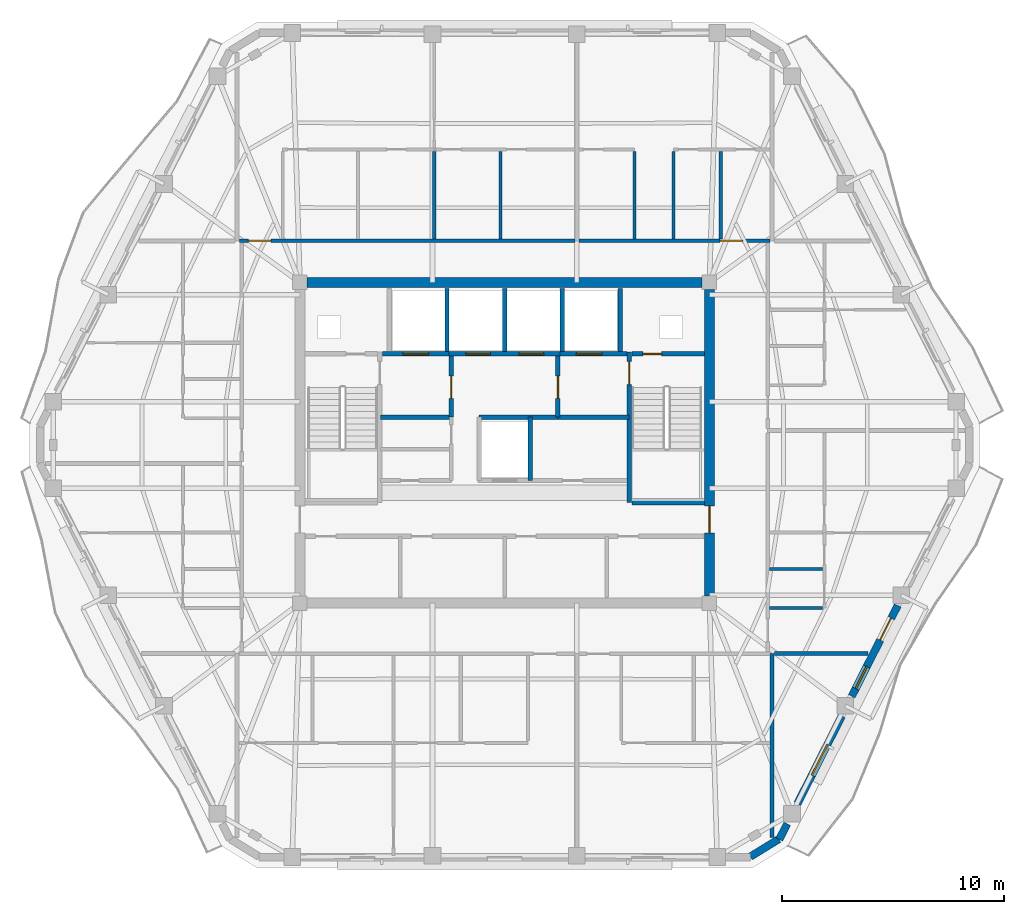
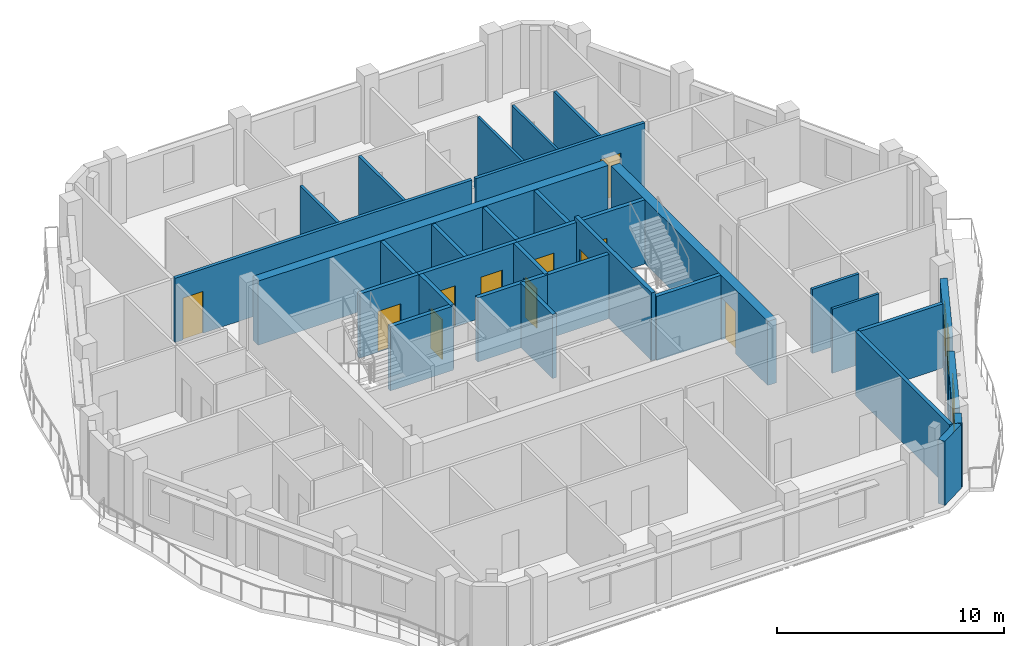
# One storey, part 6 of 11: 33 walls, 12 doors, 2 windows, 14 openings.
"""IFC4 building model written with IfcOpenShell, lengths in metres."""

from ifc_helpers import new_model, si_unit, direction, frame, frame_2d, origin, place, context, subcontext, project, spatial, rectangle, extrude, material, layer, layer_set, type_object, element, fill, save


model = new_model("IFC4")

# Units and contexts
model_context = context("Model", 3, precision=1e-05, world=origin(), true_north=direction((0.0, 1.0)))
body_context = subcontext(model_context, "Body", "Model", "MODEL_VIEW")
ifc_project = project(units=[si_unit("LENGTHUNIT", "METRE"), si_unit("AREAUNIT", "SQUARE_METRE"), si_unit("VOLUMEUNIT", "CUBIC_METRE"), si_unit("PLANEANGLEUNIT", "RADIAN"), si_unit("MASSUNIT", "GRAM", prefix="KILO")], contexts=[model_context])

# Site, building, storey
site_placement = place(None, origin())
site = spatial("IfcSite", under=ifc_project, at=site_placement, CompositionType="ELEMENT")
building_placement = place(site_placement, origin())
building = spatial("IfcBuilding", under=site, at=building_placement, Name="Cinnabar Lancet Tower", CompositionType="ELEMENT")
storey_placement = place(building_placement, frame((0.0, 0.0, 256.199951171875)))
storey = spatial("IfcBuildingStorey", under=building, at=storey_placement, Name="L68", CompositionType="ELEMENT", Elevation=256.199951171875)

# Wall, opening, door
ifc_material_1 = material(Name="Acoustic twin-stud gypsum partition", Category="gypsum")
ifc_layer_1 = layer(ifc_material_1, 0.159912109375)
ifc_layer_set_1 = layer_set([ifc_layer_1], Name="Acoustic twin-stud gypsum partition")
wall_type_1 = type_object("IfcWallType", Name="ARC-WL-CORR-160", PredefinedType="PARTITIONING", material=ifc_layer_set_1)
wall_1_placement = place(storey_placement, frame((20.445068359375, 35.0, 0.0), z_axis=(0.0, 0.0, 1.0), x_axis=(1.0, 0.0, 0.0)))
wall_1 = element("IfcWall", 1, at=wall_1_placement, inside=storey, type_object=wall_type_1, Name="L68 Unit N01 Corridor Wall", PredefinedType="PARTITIONING", context=body_context, shape_type="SweptSolid", body=[
    extrude(rectangle(XDim=15.114013671875, YDim=0.159912109375, at=frame_2d((7.55712890625, 0.0))), origin(), (0.0, 0.0, 1.0), 3.449951171875),
])
opening_1_placement = place(wall_1_placement, frame((0.405029296875, 0.0, 0.0)))
opening_1 = element("IfcOpeningElement", 2, at=opening_1_placement, cuts=wall_1, Name="Opening UD-01", PredefinedType="OPENING", context=body_context, shape_type="SweptSolid", body=[
    extrude(rectangle(XDim=1.02001953125, YDim=2.25, at=frame_2d((0.510009765625, 1.125))), frame((0.0, 0.08984375, 0.0), z_axis=(0.0, -1.0, 0.0), x_axis=(1.0, 0.0, 0.0)), (0.0, 0.0, 1.0), 0.179931640625),
])
ifc_material_2 = material(Name="Solid timber fire-rated apartment entrance door", Category="wood")
door_type_1 = type_object("IfcDoorType", Name="ARC-DR-UNIT", OperationType="NOTDEFINED", PredefinedType="DOOR", material=ifc_material_2)
door_1_placement = place(opening_1_placement, origin())
door_1 = element("IfcDoor", 3, at=door_1_placement, inside=storey, type_object=door_type_1, Name="DR-L68-N01-ENT", OperationType="SINGLE_SWING_LEFT", OverallHeight=2.25, OverallWidth=1.02001953125, PredefinedType="DOOR", context=body_context, shape_type="SweptSolid", body=[
    extrude(rectangle(XDim=1.02001953125, YDim=2.25, at=frame_2d((0.510009765625, 1.125))), frame((0.0, 0.02490234375, 0.0), z_axis=(0.0, -1.0, 0.0), x_axis=(1.0, 0.0, 0.0)), (0.0, 0.0, 1.0), 0.050048828125),
])
fill(opening_1, door_1)

wall_2_placement = place(storey_placement, frame((35.7490234375, 35.0, 0.0), z_axis=(0.0, 0.0, 1.0), x_axis=(1.0, 0.0, 0.0)))
wall_2 = element("IfcWall", 4, at=wall_2_placement, inside=storey, type_object=wall_type_1, Name="L68 Unit N02 Corridor Wall", PredefinedType="PARTITIONING", context=body_context, shape_type="SweptSolid", body=[
    extrude(rectangle(XDim=8.60595703125, YDim=0.159912109375, at=frame_2d((4.302978515625, 0.0))), origin(), (0.0, 0.0, 1.0), 3.449951171875),
])
opening_2_placement = place(wall_2_placement, frame((6.35107421875, 0.0, 0.0)))
opening_2 = element("IfcOpeningElement", 5, at=opening_2_placement, cuts=wall_2, Name="Opening UD-01", PredefinedType="OPENING", context=body_context, shape_type="SweptSolid", body=[
    extrude(rectangle(XDim=1.02001953125, YDim=2.25, at=frame_2d((0.510009765625, 1.125))), frame((0.0, 0.08984375, 0.0), z_axis=(0.0, -1.0, 0.0), x_axis=(1.0, 0.0, 0.0)), (0.0, 0.0, 1.0), 0.179931640625),
])
door_2_placement = place(opening_2_placement, origin())
door_2 = element("IfcDoor", 6, at=door_2_placement, inside=storey, type_object=door_type_1, Name="DR-L68-N02-ENT", OperationType="SINGLE_SWING_RIGHT", OverallHeight=2.25, OverallWidth=1.02001953125, PredefinedType="DOOR", context=body_context, shape_type="SweptSolid", body=[
    extrude(rectangle(XDim=1.02001953125, YDim=2.25, at=frame_2d((0.510009765625, 1.125))), frame((0.0, 0.02490234375, 0.0), z_axis=(0.0, -1.0, 0.0), x_axis=(1.0, 0.0, 0.0)), (0.0, 0.0, 1.0), 0.050048828125),
])
fill(opening_2, door_2)

# Walls
ifc_material_3 = material(Name="Fire-rated twin-frame acoustic drywall", Category="gypsum")
ifc_layer_2 = layer(ifc_material_3, 0.179931640625)
ifc_layer_set_2 = layer_set([ifc_layer_2], Name="Fire-rated twin-frame acoustic drywall")
wall_type_2 = type_object("IfcWallType", Name="ARC-WL-PARTY-180", PredefinedType="PARTITIONING", material=ifc_layer_set_2)
wall_3_placement = place(storey_placement, frame((44.449951171875, 8.118896484375, 0.0), z_axis=(0.0, 0.0, 1.0), x_axis=(0.0, 1.0, 0.0)))
element("IfcWall", 7, at=wall_3_placement, inside=storey, type_object=wall_type_2, Name="PW-L68-SPTY-444", PredefinedType="PARTITIONING", context=body_context, shape_type="SweptSolid", body=[
    extrude(rectangle(XDim=8.281005859375, YDim=0.179931640625, at=frame_2d((4.140625, 0.0))), origin(), (0.0, 0.0, 1.0), 3.449951171875),
])
wall_4_placement = place(storey_placement, frame((44.544921875, 16.39990234375, 0.0), z_axis=(0.0, 0.0, 1.0), x_axis=(1.0, 0.0, 0.0)))
element("IfcWall", 8, at=wall_4_placement, inside=storey, type_object=wall_type_2, Name="PW-L68-ESB", PredefinedType="PARTITIONING", context=body_context, shape_type="SweptSolid", body=[
    extrude(rectangle(XDim=4.22119140625, YDim=0.179931640625, at=frame_2d((2.110595703125, 0.0))), origin(), (0.0, 0.0, 1.0), 3.449951171875),
])
ifc_material_4 = material(Name="Autoclaved aerated concrete blockwork", Category="masonry")
ifc_layer_3 = layer(ifc_material_4, 0.199951171875)
ifc_layer_set_3 = layer_set([ifc_layer_3], Name="Autoclaved aerated concrete blockwork")
wall_type_3 = type_object("IfcWallType", Name="ARC-WL-SHAFT-200", PredefinedType="PLUMBINGWALL", material=ifc_layer_set_3)
wall_5_placement = place(storey_placement, frame((38.125, 23.199951171875, 0.0), z_axis=(0.0, 0.0, 1.0), x_axis=(1.0, 0.0, 0.0)))
element("IfcWall", 9, at=wall_5_placement, inside=storey, type_object=wall_type_3, Name="CW-ST2S-L68", PredefinedType="PLUMBINGWALL", context=body_context, shape_type="SweptSolid", body=[
    extrude(rectangle(XDim=3.27001953125, YDim=0.199951171875, at=frame_2d((1.635009765625, 0.0))), origin(), (0.0, 0.0, 1.0), 3.449951171875),
])

# Wall, opening, door
wall_6_placement = place(storey_placement, frame((26.885009765625, 29.89990234375, 0.0), z_axis=(0.0, 0.0, 1.0), x_axis=(1.0, 0.0, 0.0)))
wall_6 = element("IfcWall", 10, at=wall_6_placement, inside=storey, type_object=wall_type_3, Name="CW-FL1-L68", PredefinedType="PLUMBINGWALL", context=body_context, shape_type="SweptSolid", body=[
    extrude(rectangle(XDim=3.014892578125, YDim=0.199951171875, at=frame_2d((1.50732421875, 0.0))), origin(), (0.0, 0.0, 1.0), 3.449951171875),
])
opening_3_placement = place(wall_6_placement, frame((0.93994140625, 0.0, 0.0)))
opening_3 = element("IfcOpeningElement", 11, at=opening_3_placement, cuts=wall_6, Name="Opening LD-02", PredefinedType="OPENING", context=body_context, shape_type="SweptSolid", body=[
    extrude(rectangle(XDim=1.14990234375, YDim=2.199951171875, at=frame_2d((0.574951171875, 1.10009765625))), frame((0.0, 0.10986328125, 0.0), z_axis=(0.0, -1.0, 0.0), x_axis=(1.0, 0.0, 0.0)), (0.0, 0.0, 1.0), 0.219970703125),
])
ifc_material_5 = material(Name="Fire-rated stainless steel firefighting lift landing door", Category="steel")
door_type_2 = type_object("IfcDoorType", Name="ARC-DR-LD-FIRE", OperationType="NOTDEFINED", PredefinedType="DOOR", material=ifc_material_5)
door_3_placement = place(opening_3_placement, origin())
door_3 = element("IfcDoor", 12, at=door_3_placement, inside=storey, type_object=door_type_2, Name="L68 Firefighting Lift FL-1 Landing Door", OperationType="DOUBLE_DOOR_SLIDING", OverallHeight=2.199951171875, OverallWidth=1.14990234375, PredefinedType="DOOR", context=body_context, shape_type="SweptSolid", body=[
    extrude(rectangle(XDim=1.14990234375, YDim=2.199951171875, at=frame_2d((0.574951171875, 1.10009765625))), frame((0.0, 0.02490234375, 0.0), z_axis=(0.0, -1.0, 0.0), x_axis=(1.0, 0.0, 0.0)), (0.0, 0.0, 1.0), 0.050048828125),
])
fill(opening_3, door_3)

# Wall, openings, doors
wall_7_placement = place(storey_placement, frame((29.89990234375, 29.89990234375, 0.0), z_axis=(0.0, 0.0, 1.0), x_axis=(1.0, 0.0, 0.0)))
wall_7 = element("IfcWall", 13, at=wall_7_placement, inside=storey, type_object=wall_type_3, Name="CW-PL78-L68", PredefinedType="PLUMBINGWALL", context=body_context, shape_type="SweptSolid", body=[
    extrude(rectangle(XDim=5.0, YDim=0.199951171875, at=frame_2d((2.5, 0.0))), origin(), (0.0, 0.0, 1.0), 3.449951171875),
])
opening_4_placement = place(wall_7_placement, frame((0.75, 0.0, 0.0)))
opening_4 = element("IfcOpeningElement", 14, at=opening_4_placement, cuts=wall_7, Name="Opening LD-01", PredefinedType="OPENING", context=body_context, shape_type="SweptSolid", body=[
    extrude(rectangle(XDim=1.10009765625, YDim=2.199951171875, at=frame_2d((0.550048828125, 1.10009765625))), frame((0.0, 0.10986328125, 0.0), z_axis=(0.0, -1.0, 0.0), x_axis=(1.0, 0.0, 0.0)), (0.0, 0.0, 1.0), 0.219970703125),
])
opening_5_placement = place(wall_7_placement, frame((3.14990234375, 0.0, 0.0)))
opening_5 = element("IfcOpeningElement", 15, at=opening_5_placement, cuts=wall_7, Name="Opening LD-01", PredefinedType="OPENING", context=body_context, shape_type="SweptSolid", body=[
    extrude(rectangle(XDim=1.10009765625, YDim=2.199951171875, at=frame_2d((0.550048828125, 1.10009765625))), frame((0.0, 0.10986328125, 0.0), z_axis=(0.0, -1.0, 0.0), x_axis=(1.0, 0.0, 0.0)), (0.0, 0.0, 1.0), 0.219970703125),
])
ifc_material_6 = material(Name="Brushed stainless steel sliding lift door", Category="steel")
door_type_3 = type_object("IfcDoorType", Name="ARC-DR-LD-PASS", OperationType="NOTDEFINED", PredefinedType="DOOR", material=ifc_material_6)
door_4_placement = place(opening_4_placement, origin())
door_4 = element("IfcDoor", 16, at=door_4_placement, inside=storey, type_object=door_type_3, Name="L68 Lift PL-7 Landing Door", OperationType="DOUBLE_DOOR_SLIDING", OverallHeight=2.199951171875, OverallWidth=1.10009765625, PredefinedType="DOOR", context=body_context, shape_type="SweptSolid", body=[
    extrude(rectangle(XDim=1.10009765625, YDim=2.199951171875, at=frame_2d((0.550048828125, 1.10009765625))), frame((0.0, 0.02490234375, 0.0), z_axis=(0.0, -1.0, 0.0), x_axis=(1.0, 0.0, 0.0)), (0.0, 0.0, 1.0), 0.050048828125),
])
fill(opening_4, door_4)
door_5_placement = place(opening_5_placement, origin())
door_5 = element("IfcDoor", 17, at=door_5_placement, inside=storey, type_object=door_type_3, Name="L68 Lift PL-8 Landing Door", OperationType="DOUBLE_DOOR_SLIDING", OverallHeight=2.199951171875, OverallWidth=1.10009765625, PredefinedType="DOOR", context=body_context, shape_type="SweptSolid", body=[
    extrude(rectangle(XDim=1.10009765625, YDim=2.199951171875, at=frame_2d((0.550048828125, 1.10009765625))), frame((0.0, 0.02490234375, 0.0), z_axis=(0.0, -1.0, 0.0), x_axis=(1.0, 0.0, 0.0)), (0.0, 0.0, 1.0), 0.050048828125),
])
fill(opening_5, door_5)

# Wall, opening, door
wall_8_placement = place(storey_placement, frame((34.89990234375, 29.89990234375, 0.0), z_axis=(0.0, 0.0, 1.0), x_axis=(1.0, 0.0, 0.0)))
wall_8 = element("IfcWall", 18, at=wall_8_placement, inside=storey, type_object=wall_type_3, Name="CW-FL2-L68", PredefinedType="PLUMBINGWALL", context=body_context, shape_type="SweptSolid", body=[
    extrude(rectangle(XDim=3.01513671875, YDim=0.199951171875, at=frame_2d((1.507568359375, 0.0))), origin(), (0.0, 0.0, 1.0), 3.449951171875),
])
opening_6_placement = place(wall_8_placement, frame((0.72509765625, 0.0, 0.0)))
opening_6 = element("IfcOpeningElement", 19, at=opening_6_placement, cuts=wall_8, Name="Opening LD-02", PredefinedType="OPENING", context=body_context, shape_type="SweptSolid", body=[
    extrude(rectangle(XDim=1.14990234375, YDim=2.199951171875, at=frame_2d((0.574951171875, 1.10009765625))), frame((0.0, 0.10986328125, 0.0), z_axis=(0.0, -1.0, 0.0), x_axis=(1.0, 0.0, 0.0)), (0.0, 0.0, 1.0), 0.219970703125),
])
door_6_placement = place(opening_6_placement, origin())
door_6 = element("IfcDoor", 20, at=door_6_placement, inside=storey, type_object=door_type_2, Name="L68 Firefighting Lift FL-2 Landing Door", OperationType="DOUBLE_DOOR_SLIDING", OverallHeight=2.199951171875, OverallWidth=1.14990234375, PredefinedType="DOOR", context=body_context, shape_type="SweptSolid", body=[
    extrude(rectangle(XDim=1.14990234375, YDim=2.199951171875, at=frame_2d((0.574951171875, 1.10009765625))), frame((0.0, 0.02490234375, 0.0), z_axis=(0.0, -1.0, 0.0), x_axis=(1.0, 0.0, 0.0)), (0.0, 0.0, 1.0), 0.050048828125),
])
fill(opening_6, door_6)

wall_9_placement = place(storey_placement, frame((38.125, 29.89990234375, 0.0), z_axis=(0.0, 0.0, 1.0), x_axis=(1.0, 0.0, 0.0)))
wall_9 = element("IfcWall", 21, at=wall_9_placement, inside=storey, type_object=wall_type_3, Name="CW-NSH-E-L68", PredefinedType="PLUMBINGWALL", context=body_context, shape_type="SweptSolid", body=[
    extrude(rectangle(XDim=3.27001953125, YDim=0.199951171875, at=frame_2d((1.635009765625, 0.0))), origin(), (0.0, 0.0, 1.0), 3.449951171875),
])
opening_7_placement = place(wall_9_placement, frame((0.5, 0.0, 0.0)))
opening_7 = element("IfcOpeningElement", 22, at=opening_7_placement, cuts=wall_9, Name="Opening PD-02", PredefinedType="OPENING", context=body_context, shape_type="SweptSolid", body=[
    extrude(rectangle(XDim=0.85009765625, YDim=2.050048828125, at=frame_2d((0.425048828125, 1.02490234375))), frame((0.0, 0.10986328125, 0.0), z_axis=(0.0, -1.0, 0.0), x_axis=(1.0, 0.0, 0.0)), (0.0, 0.0, 1.0), 0.219970703125),
])
ifc_material_7 = material(Name="Fire-rated steel riser access door", Category="steel")
door_type_4 = type_object("IfcDoorType", Name="ARC-DR-RISER", OperationType="NOTDEFINED", PredefinedType="DOOR", material=ifc_material_7)
door_7_placement = place(opening_7_placement, origin())
door_7 = element("IfcDoor", 23, at=door_7_placement, inside=storey, type_object=door_type_4, Name="L68 East Riser Access Door", OperationType="SINGLE_SWING_RIGHT", OverallHeight=2.050048828125, OverallWidth=0.85009765625, PredefinedType="DOOR", context=body_context, shape_type="SweptSolid", body=[
    extrude(rectangle(XDim=0.85009765625, YDim=2.050048828125, at=frame_2d((0.425048828125, 1.02490234375))), frame((0.0, 0.02490234375, 0.0), z_axis=(0.0, -1.0, 0.0), x_axis=(1.0, 0.0, 0.0)), (0.0, 0.0, 1.0), 0.050048828125),
])
fill(opening_7, door_7)

# Walls
for number, where, z_axis, x_axis, name in (
    (24, (29.800048828125, 30.0, 0.0), (0.0, 0.0, 1.0), (0.0, 1.0, 0.0), "CW-NSH-D2-L68"),
    (25, (32.39990234375, 30.0, 0.0), (0.0, 0.0, 1.0), (0.0, 1.0, 0.0), "CW-NSH-D3-L68"),
    (26, (35.0, 30.0, 0.0), (0.0, 0.0, 1.0), (0.0, 1.0, 0.0), "CW-NSH-D4-L68"),
    (27, (37.60009765625, 30.0, 0.0), (0.0, 0.0, 1.0), (0.0, 1.0, 0.0), "CW-NSH-D5-L68"),
):
    element("IfcWall", number, at=place(storey_placement, frame(where, z_axis=z_axis, x_axis=x_axis)), inside=storey, type_object=wall_type_3, Name=name, PredefinedType="PLUMBINGWALL", context=body_context, shape_type="SweptSolid", body=[
        extrude(rectangle(XDim=2.85009765625, YDim=0.199951171875, at=frame_2d((1.425048828125, 0.0))), origin(), (0.0, 0.0, 1.0), 3.449951171875),
    ])

# Wall, opening, door
wall_10_placement = place(storey_placement, frame((30.0, 27.050048828125, 0.0), z_axis=(0.0, 0.0, 1.0), x_axis=(0.0, 1.0, 0.0)))
wall_10 = element("IfcWall", 28, at=wall_10_placement, inside=storey, type_object=wall_type_3, Name="CW-FF1E-L68", PredefinedType="PLUMBINGWALL", context=body_context, shape_type="SweptSolid", body=[
    extrude(rectangle(XDim=2.75, YDim=0.199951171875, at=frame_2d((1.375, 0.0))), origin(), (0.0, 0.0, 1.0), 3.449951171875),
])
opening_8_placement = place(wall_10_placement, frame((0.85009765625, 0.0, 0.0)))
opening_8 = element("IfcOpeningElement", 29, at=opening_8_placement, cuts=wall_10, Name="Opening FD-01", PredefinedType="OPENING", context=body_context, shape_type="SweptSolid", body=[
    extrude(rectangle(XDim=1.0, YDim=2.14990234375, at=frame_2d((0.5, 1.074951171875))), frame((0.0, 0.10986328125, 0.0), z_axis=(0.0, -1.0, 0.0), x_axis=(1.0, 0.0, 0.0)), (0.0, 0.0, 1.0), 0.219970703125),
])
ifc_material_8 = material(Name="Fire-rated timber-core lobby door", Category="wood")
door_type_5 = type_object("IfcDoorType", Name="ARC-DR-FFAL", OperationType="NOTDEFINED", PredefinedType="DOOR", material=ifc_material_8)
door_8_placement = place(opening_8_placement, origin())
door_8 = element("IfcDoor", 30, at=door_8_placement, inside=storey, type_object=door_type_5, Name="L68 FFAL-1 Lobby Fire Door", OperationType="SINGLE_SWING_RIGHT", OverallHeight=2.14990234375, OverallWidth=1.0, PredefinedType="DOOR", context=body_context, shape_type="SweptSolid", body=[
    extrude(rectangle(XDim=1.0, YDim=2.14990234375, at=frame_2d((0.5, 1.074951171875))), frame((0.0, 0.02490234375, 0.0), z_axis=(0.0, -1.0, 0.0), x_axis=(1.0, 0.0, 0.0)), (0.0, 0.0, 1.0), 0.050048828125),
])
fill(opening_8, door_8)

# Wall
wall_11_placement = place(storey_placement, frame((26.800048828125, 27.050048828125, 0.0), z_axis=(0.0, 0.0, 1.0), x_axis=(1.0, 0.0, 0.0)))
element("IfcWall", 31, at=wall_11_placement, inside=storey, type_object=wall_type_3, Name="CW-FF1S-L68", PredefinedType="PLUMBINGWALL", context=body_context, shape_type="SweptSolid", body=[
    extrude(rectangle(XDim=3.199951171875, YDim=0.199951171875, at=frame_2d((1.60009765625, 0.0))), origin(), (0.0, 0.0, 1.0), 3.449951171875),
])

# Wall, opening, door
wall_12_placement = place(storey_placement, frame((34.800048828125, 27.050048828125, 0.0), z_axis=(0.0, 0.0, 1.0), x_axis=(0.0, 1.0, 0.0)))
wall_12 = element("IfcWall", 32, at=wall_12_placement, inside=storey, type_object=wall_type_3, Name="CW-FF2W-L68", PredefinedType="PLUMBINGWALL", context=body_context, shape_type="SweptSolid", body=[
    extrude(rectangle(XDim=2.75, YDim=0.199951171875, at=frame_2d((1.375, 0.0))), origin(), (0.0, 0.0, 1.0), 3.449951171875),
])
opening_9_placement = place(wall_12_placement, frame((0.85009765625, 0.0, 0.0)))
opening_9 = element("IfcOpeningElement", 33, at=opening_9_placement, cuts=wall_12, Name="Opening FD-01", PredefinedType="OPENING", context=body_context, shape_type="SweptSolid", body=[
    extrude(rectangle(XDim=1.0, YDim=2.14990234375, at=frame_2d((0.5, 1.074951171875))), frame((0.0, 0.10986328125, 0.0), z_axis=(0.0, -1.0, 0.0), x_axis=(1.0, 0.0, 0.0)), (0.0, 0.0, 1.0), 0.219970703125),
])
door_9_placement = place(opening_9_placement, origin())
door_9 = element("IfcDoor", 34, at=door_9_placement, inside=storey, type_object=door_type_5, Name="L68 FFAL-2 Lobby Fire Door", OperationType="SINGLE_SWING_LEFT", OverallHeight=2.14990234375, OverallWidth=1.0, PredefinedType="DOOR", context=body_context, shape_type="SweptSolid", body=[
    extrude(rectangle(XDim=1.0, YDim=2.14990234375, at=frame_2d((0.5, 1.074951171875))), frame((0.0, 0.02490234375, 0.0), z_axis=(0.0, -1.0, 0.0), x_axis=(1.0, 0.0, 0.0)), (0.0, 0.0, 1.0), 0.050048828125),
])
fill(opening_9, door_9)

# Walls
wall_13_placement = place(storey_placement, frame((34.800048828125, 27.050048828125, 0.0), z_axis=(0.0, 0.0, 1.0), x_axis=(1.0, 0.0, 0.0)))
element("IfcWall", 35, at=wall_13_placement, inside=storey, type_object=wall_type_3, Name="CW-FF2S-L68", PredefinedType="PLUMBINGWALL", context=body_context, shape_type="SweptSolid", body=[
    extrude(rectangle(XDim=3.199951171875, YDim=0.199951171875, at=frame_2d((1.60009765625, 0.0))), origin(), (0.0, 0.0, 1.0), 3.449951171875),
])
wall_14_placement = place(storey_placement, frame((33.550048828125, 24.199951171875, 0.0), z_axis=(0.0, 0.0, 1.0), x_axis=(0.0, 1.0, 0.0)))
element("IfcWall", 36, at=wall_14_placement, inside=storey, type_object=wall_type_3, Name="CW-PL9E-L68", PredefinedType="PLUMBINGWALL", context=body_context, shape_type="SweptSolid", body=[
    extrude(rectangle(XDim=2.85009765625, YDim=0.199951171875, at=frame_2d((1.425048828125, 0.0))), origin(), (0.0, 0.0, 1.0), 3.449951171875),
])
wall_15_placement = place(storey_placement, frame((31.25, 27.050048828125, 0.0), z_axis=(0.0, 0.0, 1.0), x_axis=(1.0, 0.0, 0.0)))
element("IfcWall", 37, at=wall_15_placement, inside=storey, type_object=wall_type_3, Name="CW-PL96N-L68", PredefinedType="PLUMBINGWALL", context=body_context, shape_type="SweptSolid", body=[
    extrude(rectangle(XDim=3.550048828125, YDim=0.199951171875, at=frame_2d((1.77490234375, 0.0))), origin(), (0.0, 0.0, 1.0), 3.449951171875),
])
ifc_material_9 = material(Name="Gypsum plasterboard stud partition", Category="gypsum")
ifc_layer_4 = layer(ifc_material_9, 0.125)
ifc_layer_set_4 = layer_set([ifc_layer_4], Name="Gypsum plasterboard stud partition")
wall_type_4 = type_object("IfcWallType", Name="ARC-WL-UNIT-125", PredefinedType="PARTITIONING", material=ifc_layer_set_4)
for number, where, z_axis, x_axis, name in (
    (38, (40.0, 35.0849609375, 0.0), (0.0, 0.0, 1.0), (0.0, 1.0, 0.0), "UW-L68-N02-FOYE"),
    (39, (38.25, 35.0849609375, 0.0), (0.0, 0.0, 1.0), (0.0, 1.0, 0.0), "UW-L68-N02-FOYW"),
):
    element("IfcWall", number, at=place(storey_placement, frame(where, z_axis=z_axis, x_axis=x_axis)), inside=storey, type_object=wall_type_4, Name=name, PredefinedType="PARTITIONING", context=body_context, shape_type="SweptSolid", body=[
        extrude(rectangle(XDim=3.925048828125, YDim=0.125, at=frame_2d((1.96240234375, 0.0))), origin(), (0.0, 0.0, 1.0), 3.449951171875),
    ])
wall_16_placement = place(storey_placement, frame((44.3349609375, 18.449951171875, 0.0), z_axis=(0.0, 0.0, 1.0), x_axis=(1.0, 0.0, 0.0)))
element("IfcWall", 40, at=wall_16_placement, inside=storey, type_object=wall_type_4, Name="UW-L68-E01-FOYN", PredefinedType="PARTITIONING", context=body_context, shape_type="SweptSolid", body=[
    extrude(rectangle(XDim=2.380126953125, YDim=0.125, at=frame_2d((1.18994140625, 0.0))), origin(), (0.0, 0.0, 1.0), 3.449951171875),
])
ifc_material_10 = material(Name="Moisture-resistant cement-board plumbing wall", Category="masonry")
ifc_layer_5 = layer(ifc_material_10, 0.139892578125)
ifc_layer_set_5 = layer_set([ifc_layer_5], Name="Moisture-resistant cement-board plumbing wall")
wall_type_5 = type_object("IfcWallType", Name="ARC-WL-WET-140", PredefinedType="PLUMBINGWALL", material=ifc_layer_set_5)
wall_17_placement = place(storey_placement, frame((29.22607421875, 35.0849609375, 0.0), z_axis=(0.0, 0.0, 1.0), x_axis=(0.0, 1.0, 0.0)))
element("IfcWall", 41, at=wall_17_placement, inside=storey, type_object=wall_type_5, Name="UW-L68-N01-ENSW", PredefinedType="PLUMBINGWALL", context=body_context, shape_type="SweptSolid", body=[
    extrude(rectangle(XDim=3.925048828125, YDim=0.139892578125, at=frame_2d((1.96240234375, 0.0))), origin(), (0.0, 0.0, 1.0), 2.906982421875),
])
wall_18_placement = place(storey_placement, frame((32.208984375, 35.0849609375, 0.0), z_axis=(0.0, 0.0, 1.0), x_axis=(0.0, 1.0, 0.0)))
element("IfcWall", 42, at=wall_18_placement, inside=storey, type_object=wall_type_5, Name="UW-L68-N01-ENS-WDV", PredefinedType="PLUMBINGWALL", context=body_context, shape_type="SweptSolid", body=[
    extrude(rectangle(XDim=3.945068359375, YDim=0.139892578125, at=frame_2d((1.97265625, 0.0))), origin(), (0.0, 0.0, 1.0), 3.449951171875),
])
wall_19_placement = place(storey_placement, frame((42.135986328125, 35.0849609375, 0.0), z_axis=(0.0, 0.0, 1.0), x_axis=(0.0, 1.0, 0.0)))
element("IfcWall", 43, at=wall_19_placement, inside=storey, type_object=wall_type_5, Name="UW-L68-N02-KDV", PredefinedType="PLUMBINGWALL", context=body_context, shape_type="SweptSolid", body=[
    extrude(rectangle(XDim=3.925048828125, YDim=0.139892578125, at=frame_2d((1.96240234375, 0.0))), origin(), (0.0, 0.0, 1.0), 3.449951171875),
])
wall_20_placement = place(storey_placement, frame((44.3349609375, 20.218017578125, 0.0), z_axis=(0.0, 0.0, 1.0), x_axis=(1.0, 0.0, 0.0)))
element("IfcWall", 44, at=wall_20_placement, inside=storey, type_object=wall_type_5, Name="UW-L68-E01-KDV", PredefinedType="PLUMBINGWALL", context=body_context, shape_type="SweptSolid", body=[
    extrude(rectangle(XDim=2.380126953125, YDim=0.139892578125, at=frame_2d((1.18994140625, 0.0))), origin(), (0.0, 0.0, 1.0), 3.449951171875),
])
ifc_material_11 = material(Name="Cinnabar red clay brick", Category="masonry")
ifc_layer_6 = layer(ifc_material_11, 0.340087890625)
ifc_layer_set_6 = layer_set([ifc_layer_6], Name="Cinnabar red clay brick")
wall_type_6 = type_object("IfcWallType", Name="ENV-WL-BRK-RED-340", PredefinedType="STANDARD", material=ifc_layer_set_6)
wall_21_placement = place(storey_placement, frame((43.468994140625, 7.2548828125, 0.0), z_axis=(0.0, 0.0, 1.0), x_axis=(0.851680557619, 0.52406128246, 0.0)))
element("IfcWall", 45, at=wall_21_placement, inside=storey, type_object=wall_type_6, Name="L68 Chamfered Corner Brick Pier 2.1", PredefinedType="STANDARD", context=body_context, shape_type="SweptSolid", body=[
    extrude(rectangle(XDim=1.507568359375, YDim=0.340087890625, at=frame_2d((0.75390625, 0.0))), origin(), (0.0, 0.0, 1.0), 3.449951171875),
])
wall_22_placement = place(storey_placement, frame((44.77294921875, 8.029052734375, 0.0), z_axis=(0.0, 0.0, 1.0), x_axis=(0.451159191899, 0.892443490404, 0.0)))
element("IfcWall", 46, at=wall_22_placement, inside=storey, type_object=wall_type_6, Name="L68 Face 2 Masonry Bay Wall 1", PredefinedType="STANDARD", context=body_context, shape_type="SweptSolid", body=[
    extrude(rectangle(XDim=0.791259765625, YDim=0.340087890625, at=frame_2d((0.3955078125, 0.0))), origin(), (0.0, 0.0, 1.0), 3.449951171875),
])

# Wall, opening, window
wall_23_placement = place(storey_placement, frame((45.5859375, 9.636962890625, 0.0), z_axis=(0.0, 0.0, 1.0), x_axis=(0.451440846853, 0.892301048858, 0.0)))
wall_23 = element("IfcWall", 47, at=wall_23_placement, inside=storey, type_object=wall_type_6, Name="L68 Face 2 Masonry Bay Wall 2", PredefinedType="STANDARD", context=body_context, shape_type="SweptSolid", body=[
    extrude(rectangle(XDim=4.43017578125, YDim=0.340087890625, at=frame_2d((2.215087890625, 0.0))), origin(), (0.0, 0.0, 1.0), 2.983154296875),
])
opening_10_placement = place(wall_23_placement, frame((1.43994140625, 0.0, 0.75)))
opening_10 = element("IfcOpeningElement", 48, at=opening_10_placement, cuts=wall_23, Name="Opening WN-01", PredefinedType="OPENING", context=body_context, shape_type="SweptSolid", body=[
    extrude(rectangle(XDim=1.550048828125, YDim=2.050048828125, at=frame_2d((0.77490234375, 1.02490234375))), frame((0.0, 0.179931640625, 0.0), z_axis=(0.0, -1.0, 0.0), x_axis=(1.0, 0.0, 0.0)), (0.0, 0.0, 1.0), 0.360107421875),
])
ifc_material_12 = material(Name="Thermally broken bronze-anodized aluminium low-E double glazing", Category="aluminium")
window_type_1 = type_object("IfcWindowType", Name="ENV-WN-LANCET-1550", PartitioningType="SINGLE_PANEL", PredefinedType="WINDOW", material=ifc_material_12)
window_1_placement = place(opening_10_placement, origin())
window_1 = element("IfcWindow", 49, at=window_1_placement, inside=storey, type_object=window_type_1, Name="L68 Face 2 Gothic Lancet Window 2", OverallHeight=2.050048828125, OverallWidth=1.550048828125, PartitioningType="SINGLE_PANEL", PredefinedType="WINDOW", context=body_context, shape_type="SweptSolid", body=[
    extrude(rectangle(XDim=1.550048828125, YDim=2.050048828125, at=frame_2d((0.77490234375, 1.02490234375))), frame((0.0, 0.030029296875, 0.0), z_axis=(0.0, -1.0, 0.0), x_axis=(1.0, 0.0, 0.0)), (0.0, 0.0, 1.0), 0.06005859375),
])
fill(opening_10, window_1)

# Wall, openings, door, window
wall_24_placement = place(storey_placement, frame((48.031982421875, 14.472900390625, 0.0), z_axis=(0.0, 0.0, 1.0), x_axis=(0.451539564999, 0.892251097641, 0.0)))
wall_24 = element("IfcWall", 50, at=wall_24_placement, inside=storey, type_object=wall_type_6, Name="L68 Face 2 Masonry Bay Wall 3", PredefinedType="STANDARD", context=body_context, shape_type="SweptSolid", body=[
    extrude(rectangle(XDim=4.599609375, YDim=0.340087890625, at=frame_2d((2.2998046875, 0.0))), origin(), (0.0, 0.0, 1.0), 2.983154296875),
])
opening_11_placement = place(wall_24_placement, frame((2.845947265625, 0.0, 0.0)))
opening_11 = element("IfcOpeningElement", 51, at=opening_11_placement, cuts=wall_24, Name="Opening TD-01", PredefinedType="OPENING", context=body_context, shape_type="SweptSolid", body=[
    extrude(rectangle(XDim=1.10009765625, YDim=2.25, at=frame_2d((0.550048828125, 1.125))), frame((0.0, 0.179931640625, 0.0), z_axis=(0.0, -1.0, 0.0), x_axis=(1.0, 0.0, 0.0)), (0.0, 0.0, 1.0), 0.360107421875),
])
opening_12_placement = place(wall_24_placement, frame((0.39990234375, 0.0, 0.75)))
opening_12 = element("IfcOpeningElement", 52, at=opening_12_placement, cuts=wall_24, Name="Opening WN-04", PredefinedType="OPENING", context=body_context, shape_type="SweptSolid", body=[
    extrude(rectangle(XDim=1.10009765625, YDim=2.0, at=frame_2d((0.550048828125, 1.0))), frame((0.0, 0.179931640625, 0.0), z_axis=(0.0, -1.0, 0.0), x_axis=(1.0, 0.0, 0.0)), (0.0, 0.0, 1.0), 0.360107421875),
])
ifc_material_13 = material(Name="Thermally broken low-E glazed balcony terrace door", Category="wood")
door_type_6 = type_object("IfcDoorType", Name="ARC-DR-BALC", OperationType="NOTDEFINED", PredefinedType="DOOR", material=ifc_material_13)
door_10_placement = place(opening_11_placement, origin())
door_10 = element("IfcDoor", 53, at=door_10_placement, inside=storey, type_object=door_type_6, Name="L68 Face 2 Glazed Terrace Door", OperationType="SINGLE_SWING_RIGHT", OverallHeight=2.25, OverallWidth=1.10009765625, PredefinedType="DOOR", context=body_context, shape_type="SweptSolid", body=[
    extrude(rectangle(XDim=1.10009765625, YDim=2.25, at=frame_2d((0.550048828125, 1.125))), frame((0.0, 0.02490234375, 0.0), z_axis=(0.0, -1.0, 0.0), x_axis=(1.0, 0.0, 0.0)), (0.0, 0.0, 1.0), 0.050048828125),
])
fill(opening_11, door_10)
ifc_material_14 = material(Name="Thermally broken bronze-anodized aluminium tall lancet window", Category="aluminium")
window_type_2 = type_object("IfcWindowType", Name="ENV-WN-LANCET-1100", PartitioningType="SINGLE_PANEL", PredefinedType="WINDOW", material=ifc_material_14)
window_2_placement = place(opening_12_placement, origin())
window_2 = element("IfcWindow", 54, at=window_2_placement, inside=storey, type_object=window_type_2, Name="L68 Split-Bay Gothic Lancet Window 243", OverallHeight=2.0, OverallWidth=1.10009765625, PartitioningType="SINGLE_PANEL", PredefinedType="WINDOW", context=body_context, shape_type="SweptSolid", body=[
    extrude(rectangle(XDim=1.10009765625, YDim=2.0, at=frame_2d((0.550048828125, 1.0))), frame((0.0, 0.030029296875, 0.0), z_axis=(0.0, -1.0, 0.0), x_axis=(1.0, 0.0, 0.0)), (0.0, 0.0, 1.0), 0.06005859375),
])
fill(opening_12, window_2)

# Wall
ifc_material_15 = material(Name="Concrete C50/60", Category="concrete")
ifc_layer_7 = layer(ifc_material_15, 0.449951171875)
ifc_layer_set_7 = layer_set([ifc_layer_7], Name="Concrete C50/60")
wall_type_7 = type_object("IfcWallType", Name="STR-WL-CORE-450", PredefinedType="SHEAR", material=ifc_layer_set_7)
wall_25_placement = place(storey_placement, frame((23.5, 33.125, 0.0), z_axis=(0.0, 0.0, 1.0), x_axis=(1.0, 0.0, 0.0)))
element("IfcWall", 55, at=wall_25_placement, inside=storey, type_object=wall_type_7, Name="L68 Core Shear Wall N", PredefinedType="SHEAR", context=body_context, shape_type="SweptSolid", body=[
    extrude(rectangle(XDim=17.800048828125, YDim=0.449951171875, at=frame_2d((8.89990234375, 0.0))), origin(), (0.0, 0.0, 1.0), 3.449951171875),
])

# Wall, opening, door
wall_26_placement = place(storey_placement, frame((41.625, 19.0, 0.0), z_axis=(0.0, 0.0, 1.0), x_axis=(0.0, 1.0, 0.0)))
wall_26 = element("IfcWall", 56, at=wall_26_placement, inside=storey, type_object=wall_type_7, Name="L68 Core Shear Wall E", PredefinedType="SHEAR", context=body_context, shape_type="SweptSolid", body=[
    extrude(rectangle(XDim=13.800048828125, YDim=0.449951171875, at=frame_2d((6.89990234375, 0.0))), origin(), (0.0, 0.0, 1.0), 3.449951171875),
])
opening_13_placement = place(wall_26_placement, frame((2.840087890625, 0.0, 0.0)))
opening_13 = element("IfcOpeningElement", 57, at=opening_13_placement, cuts=wall_26, Name="Opening FD-02", PredefinedType="OPENING", context=body_context, shape_type="SweptSolid", body=[
    extrude(rectangle(XDim=1.219970703125, YDim=2.25, at=frame_2d((0.60986328125, 1.125))), frame((0.0, 0.23486328125, 0.0), z_axis=(0.0, -1.0, 0.0), x_axis=(1.0, 0.0, 0.0)), (0.0, 0.0, 1.0), 0.469970703125),
])
ifc_material_16 = material(Name="Fire-rated double-vision core portal door", Category="wood")
door_type_7 = type_object("IfcDoorType", Name="ARC-DR-CPORT", OperationType="NOTDEFINED", PredefinedType="DOOR", material=ifc_material_16)
door_11_placement = place(opening_13_placement, origin())
door_11 = element("IfcDoor", 58, at=door_11_placement, inside=storey, type_object=door_type_7, Name="L68 East Core Lobby Fire Door", OperationType="SINGLE_SWING_LEFT", OverallHeight=2.25, OverallWidth=1.219970703125, PredefinedType="DOOR", context=body_context, shape_type="SweptSolid", body=[
    extrude(rectangle(XDim=1.219970703125, YDim=2.25, at=frame_2d((0.60986328125, 1.125))), frame((0.0, 0.02490234375, 0.0), z_axis=(0.0, -1.0, 0.0), x_axis=(1.0, 0.0, 0.0)), (0.0, 0.0, 1.0), 0.050048828125),
])
fill(opening_13, door_11)

ifc_material_17 = material(Name="Concrete C50/60", Category="concrete")
ifc_layer_8 = layer(ifc_material_17, 0.199951171875)
ifc_layer_set_8 = layer_set([ifc_layer_8], Name="Concrete C50/60")
wall_type_8 = type_object("IfcWallType", Name="STR-WL-STAIR-200", PredefinedType="SHEAR", material=ifc_layer_set_8)
wall_27_placement = place(storey_placement, frame((38.02001953125, 23.199951171875, 0.0), z_axis=(0.0, 0.0, 1.0), x_axis=(0.0, 1.0, 0.0)))
wall_27 = element("IfcWall", 59, at=wall_27_placement, inside=storey, type_object=wall_type_8, Name="L68 Stair ST-2 Structural Enclosure Wall", PredefinedType="SHEAR", context=body_context, shape_type="SweptSolid", body=[
    extrude(rectangle(XDim=6.780029296875, YDim=0.199951171875, at=frame_2d((3.39013671875, 0.0))), origin(), (0.0, 0.0, 1.0), 3.650146484375),
])
opening_14_placement = place(wall_27_placement, frame((5.320068359375, 0.0, 0.0)))
opening_14 = element("IfcOpeningElement", 60, at=opening_14_placement, cuts=wall_27, Name="Opening SD-01", PredefinedType="OPENING", context=body_context, shape_type="SweptSolid", body=[
    extrude(rectangle(XDim=1.050048828125, YDim=2.14990234375, at=frame_2d((0.52490234375, 1.074951171875))), frame((0.0, 0.10986328125, 0.0), z_axis=(0.0, -1.0, 0.0), x_axis=(1.0, 0.0, 0.0)), (0.0, 0.0, 1.0), 0.219970703125),
])
ifc_material_18 = material(Name="Fire-rated steel stair exit door", Category="steel")
door_type_8 = type_object("IfcDoorType", Name="ARC-DR-STAIR", OperationType="NOTDEFINED", PredefinedType="DOOR", material=ifc_material_18)
door_12_placement = place(opening_14_placement, origin())
door_12 = element("IfcDoor", 61, at=door_12_placement, inside=storey, type_object=door_type_8, Name="L68 Stair ST-2 Fire Door", OperationType="SINGLE_SWING_RIGHT", OverallHeight=2.14990234375, OverallWidth=1.050048828125, PredefinedType="DOOR", context=body_context, shape_type="SweptSolid", body=[
    extrude(rectangle(XDim=1.050048828125, YDim=2.14990234375, at=frame_2d((0.52490234375, 1.074951171875))), frame((0.0, 0.02490234375, 0.0), z_axis=(0.0, -1.0, 0.0), x_axis=(1.0, 0.0, 0.0)), (0.0, 0.0, 1.0), 0.050048828125),
])
fill(opening_14, door_12)

save(model, "model.ifc")
